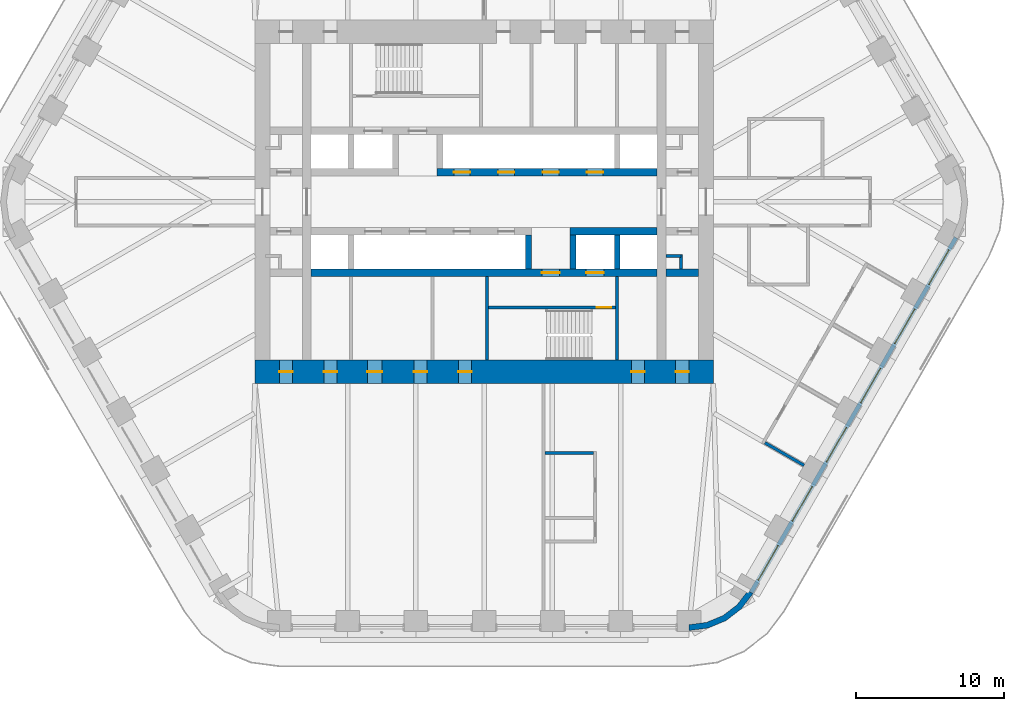
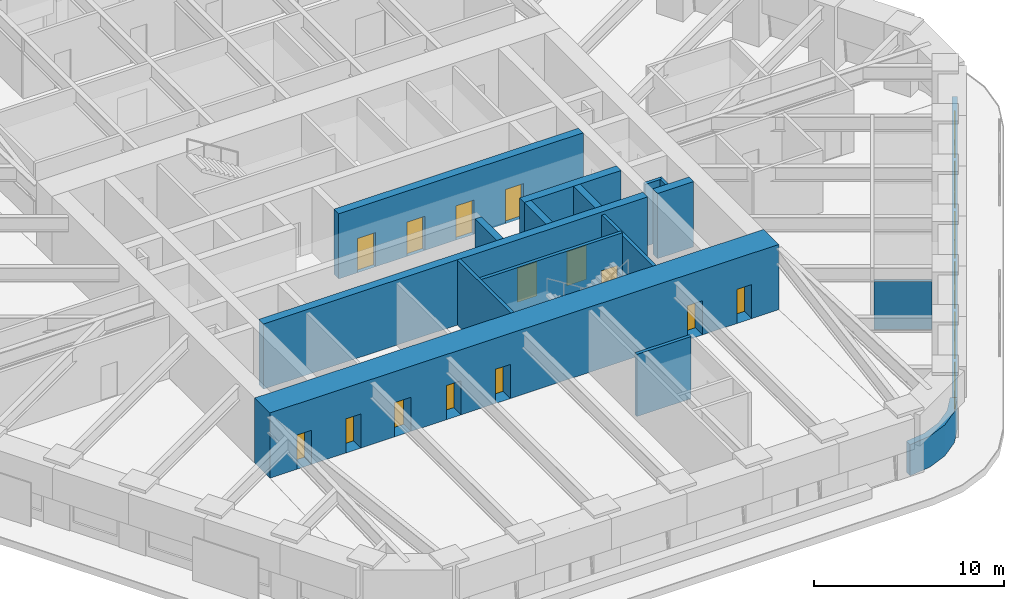
# One storey, part 15 of 20: 17 walls, 14 doors, 6 windows, 20 openings.
"""IFC4 building model written with IfcOpenShell, lengths in metres."""

from ifc_helpers import new_model, si_unit, direction, frame, frame_2d, origin, place, context, subcontext, project, spatial, polyline, rectangle, outline, extrude, material, layer, layer_set, type_object, element, fill, save


model = new_model("IFC4")

# Units and contexts
model_context = context("Model", 3, precision=1e-05, world=origin(), true_north=direction((0.0, 1.0)))
body_context = subcontext(model_context, "Body", "Model", "MODEL_VIEW")
ifc_project = project(units=[si_unit("LENGTHUNIT", "METRE"), si_unit("AREAUNIT", "SQUARE_METRE"), si_unit("VOLUMEUNIT", "CUBIC_METRE"), si_unit("PLANEANGLEUNIT", "RADIAN"), si_unit("MASSUNIT", "GRAM", prefix="KILO")], contexts=[model_context])

# Site, building, storey
site_placement = place(None, origin())
site = spatial("IfcSite", under=ifc_project, at=site_placement, CompositionType="ELEMENT")
building_placement = place(site_placement, origin())
building = spatial("IfcBuilding", under=site, at=building_placement, Name="Tarfa Lantern Tower", CompositionType="ELEMENT")
storey_placement = place(building_placement, frame((0.0, 0.0, 219.699951171875)))
storey = spatial("IfcBuildingStorey", under=building, at=storey_placement, Name="L49", CompositionType="ELEMENT", Elevation=219.699951171875)

# Wall, openings, windows
ifc_material_1 = material(Name="Limestone cladding on blockwork", Category="masonry")
ifc_layer_1 = layer(ifc_material_1, 0.300048828125)
ifc_layer_set_1 = layer_set([ifc_layer_1], Name="EW1 STONE-CLAD WALL 300")
wall_type_1 = type_object("IfcWallType", Name="EW1 STONE-CLAD WALL 300", PredefinedType="SOLIDWALL", material=ifc_layer_set_1)
wall_1_placement = place(storey_placement, frame((18.056640625, -26.425048828125, 0.0), z_axis=(0.0, 0.0, 1.0), x_axis=(0.500001051461, 0.866024796723, 0.0)))
wall_1 = element("IfcWall", 1, at=wall_1_placement, inside=storey, type_object=wall_type_1, Name="Stone wall SE", PredefinedType="SOLIDWALL", context=body_context, shape_type="SweptSolid", body=[
    extrude(rectangle(XDim=27.712890625, YDim=0.300048828125, at=frame_2d((13.8564453125, 0.0))), origin(), (0.0, 0.0, 1.0), 2.0),
])
opening_1_placement = place(wall_1_placement, frame((0.95947265625, 0.0, 0.60009765625)))
opening_1 = element("IfcOpeningElement", 2, at=opening_1_placement, cuts=wall_1, Name="Opening W13", PredefinedType="OPENING", context=body_context, shape_type="SweptSolid", body=[
    extrude(rectangle(XDim=2.699951171875, YDim=1.14990234375, at=frame_2d((1.35009765625, 0.574951171875))), frame((0.0, 0.159912109375, 0.0), z_axis=(0.0, -1.0, 0.0), x_axis=(1.0, 0.0, 0.0)), (0.0, 0.0, 1.0), 0.320068359375),
])
opening_2_placement = place(wall_1_placement, frame((5.578125, 0.0, 0.60009765625)))
opening_2 = element("IfcOpeningElement", 3, at=opening_2_placement, cuts=wall_1, Name="Opening W13", PredefinedType="OPENING", context=body_context, shape_type="SweptSolid", body=[
    extrude(rectangle(XDim=2.699951171875, YDim=1.14990234375, at=frame_2d((1.35009765625, 0.574951171875))), frame((0.0, 0.159912109375, 0.0), z_axis=(0.0, -1.0, 0.0), x_axis=(1.0, 0.0, 0.0)), (0.0, 0.0, 1.0), 0.320068359375),
])
opening_3_placement = place(wall_1_placement, frame((10.197021484375, 0.0, 0.60009765625)))
opening_3 = element("IfcOpeningElement", 4, at=opening_3_placement, cuts=wall_1, Name="Opening W13", PredefinedType="OPENING", context=body_context, shape_type="SweptSolid", body=[
    extrude(rectangle(XDim=2.699951171875, YDim=1.14990234375, at=frame_2d((1.35009765625, 0.574951171875))), frame((0.0, 0.159912109375, 0.0), z_axis=(0.0, -1.0, 0.0), x_axis=(1.0, 0.0, 0.0)), (0.0, 0.0, 1.0), 0.320068359375),
])
opening_4_placement = place(wall_1_placement, frame((14.81591796875, 0.0, 0.60009765625)))
opening_4 = element("IfcOpeningElement", 5, at=opening_4_placement, cuts=wall_1, Name="Opening W13", PredefinedType="OPENING", context=body_context, shape_type="SweptSolid", body=[
    extrude(rectangle(XDim=2.699951171875, YDim=1.14990234375, at=frame_2d((1.35009765625, 0.574951171875))), frame((0.0, 0.159912109375, 0.0), z_axis=(0.0, -1.0, 0.0), x_axis=(1.0, 0.0, 0.0)), (0.0, 0.0, 1.0), 0.320068359375),
])
opening_5_placement = place(wall_1_placement, frame((19.4345703125, 0.0, 0.60009765625)))
opening_5 = element("IfcOpeningElement", 6, at=opening_5_placement, cuts=wall_1, Name="Opening W13", PredefinedType="OPENING", context=body_context, shape_type="SweptSolid", body=[
    extrude(rectangle(XDim=2.699951171875, YDim=1.14990234375, at=frame_2d((1.35009765625, 0.574951171875))), frame((0.0, 0.159912109375, 0.0), z_axis=(0.0, -1.0, 0.0), x_axis=(1.0, 0.0, 0.0)), (0.0, 0.0, 1.0), 0.320068359375),
])
opening_6_placement = place(wall_1_placement, frame((24.053466796875, 0.0, 0.60009765625)))
opening_6 = element("IfcOpeningElement", 7, at=opening_6_placement, cuts=wall_1, Name="Opening W13", PredefinedType="OPENING", context=body_context, shape_type="SweptSolid", body=[
    extrude(rectangle(XDim=2.699951171875, YDim=1.14990234375, at=frame_2d((1.35009765625, 0.574951171875))), frame((0.0, 0.159912109375, 0.0), z_axis=(0.0, -1.0, 0.0), x_axis=(1.0, 0.0, 0.0)), (0.0, 0.0, 1.0), 0.320068359375),
])
ifc_material_2 = material(Name="Aluminium frame, double glazed", Category="aluminium")
window_type = type_object("IfcWindowType", Name="W13 FULL-HEIGHT GLAZING 2700x1150", PartitioningType="SINGLE_PANEL", PredefinedType="WINDOW", material=ifc_material_2)
window_1_placement = place(opening_1_placement, origin())
window_1 = element("IfcWindow", 8, at=window_1_placement, inside=storey, type_object=window_type, Name="Window SE 1", OverallHeight=1.14990234375, OverallWidth=2.699951171875, PartitioningType="SINGLE_PANEL", PredefinedType="WINDOW", context=body_context, shape_type="SweptSolid", body=[
    extrude(rectangle(XDim=2.699951171875, YDim=1.14990234375, at=frame_2d((1.35009765625, 0.574951171875))), frame((0.0, 0.030029296875, 0.0), z_axis=(0.0, -1.0, 0.0), x_axis=(1.0, 0.0, 0.0)), (0.0, 0.0, 1.0), 0.06005859375),
])
fill(opening_1, window_1)
window_2_placement = place(opening_2_placement, origin())
window_2 = element("IfcWindow", 9, at=window_2_placement, inside=storey, type_object=window_type, Name="Window SE 2", OverallHeight=1.14990234375, OverallWidth=2.699951171875, PartitioningType="SINGLE_PANEL", PredefinedType="WINDOW", context=body_context, shape_type="SweptSolid", body=[
    extrude(rectangle(XDim=2.699951171875, YDim=1.14990234375, at=frame_2d((1.35009765625, 0.574951171875))), frame((0.0, 0.030029296875, 0.0), z_axis=(0.0, -1.0, 0.0), x_axis=(1.0, 0.0, 0.0)), (0.0, 0.0, 1.0), 0.06005859375),
])
fill(opening_2, window_2)
window_3_placement = place(opening_3_placement, origin())
window_3 = element("IfcWindow", 10, at=window_3_placement, inside=storey, type_object=window_type, Name="Window SE 3", OverallHeight=1.14990234375, OverallWidth=2.699951171875, PartitioningType="SINGLE_PANEL", PredefinedType="WINDOW", context=body_context, shape_type="SweptSolid", body=[
    extrude(rectangle(XDim=2.699951171875, YDim=1.14990234375, at=frame_2d((1.35009765625, 0.574951171875))), frame((0.0, 0.030029296875, 0.0), z_axis=(0.0, -1.0, 0.0), x_axis=(1.0, 0.0, 0.0)), (0.0, 0.0, 1.0), 0.06005859375),
])
fill(opening_3, window_3)
window_4_placement = place(opening_4_placement, origin())
window_4 = element("IfcWindow", 11, at=window_4_placement, inside=storey, type_object=window_type, Name="Window SE 4", OverallHeight=1.14990234375, OverallWidth=2.699951171875, PartitioningType="SINGLE_PANEL", PredefinedType="WINDOW", context=body_context, shape_type="SweptSolid", body=[
    extrude(rectangle(XDim=2.699951171875, YDim=1.14990234375, at=frame_2d((1.35009765625, 0.574951171875))), frame((0.0, 0.030029296875, 0.0), z_axis=(0.0, -1.0, 0.0), x_axis=(1.0, 0.0, 0.0)), (0.0, 0.0, 1.0), 0.06005859375),
])
fill(opening_4, window_4)
window_5_placement = place(opening_5_placement, origin())
window_5 = element("IfcWindow", 12, at=window_5_placement, inside=storey, type_object=window_type, Name="Window SE 5", OverallHeight=1.14990234375, OverallWidth=2.699951171875, PartitioningType="SINGLE_PANEL", PredefinedType="WINDOW", context=body_context, shape_type="SweptSolid", body=[
    extrude(rectangle(XDim=2.699951171875, YDim=1.14990234375, at=frame_2d((1.35009765625, 0.574951171875))), frame((0.0, 0.030029296875, 0.0), z_axis=(0.0, -1.0, 0.0), x_axis=(1.0, 0.0, 0.0)), (0.0, 0.0, 1.0), 0.06005859375),
])
fill(opening_5, window_5)
window_6_placement = place(opening_6_placement, origin())
window_6 = element("IfcWindow", 13, at=window_6_placement, inside=storey, type_object=window_type, Name="Window SE 6", OverallHeight=1.14990234375, OverallWidth=2.699951171875, PartitioningType="SINGLE_PANEL", PredefinedType="WINDOW", context=body_context, shape_type="SweptSolid", body=[
    extrude(rectangle(XDim=2.699951171875, YDim=1.14990234375, at=frame_2d((1.35009765625, 0.574951171875))), frame((0.0, 0.030029296875, 0.0), z_axis=(0.0, -1.0, 0.0), x_axis=(1.0, 0.0, 0.0)), (0.0, 0.0, 1.0), 0.06005859375),
])
fill(opening_6, window_6)

# Walls
ifc_layer_2 = layer(ifc_material_1, 0.39990234375)
ifc_layer_set_2 = layer_set([ifc_layer_2], Name="EW2 CURVED STONE CORNER 400")
wall_type_2 = type_object("IfcWallType", Name="EW2 CURVED STONE CORNER 400", PredefinedType="SOLIDWALL", material=ifc_layer_set_2)
wall_2_placement = place(storey_placement, origin())
element("IfcWall", 14, at=wall_2_placement, inside=storey, type_object=wall_type_2, Name="Stone corner S-SE", PredefinedType="SOLIDWALL", context=body_context, shape_type="SweptSolid", body=[
    extrude(outline(polyline([(13.8564453125, -29.0), (15.150390625, -28.82958984375), (16.3564453125, -28.330078125), (17.391845703125, -27.53564453125), (18.1865234375, -26.5), (17.840087890625, -26.300048828125), (17.109130859375, -27.252685546875), (16.156494140625, -27.983642578125), (15.046875, -28.443359375), (13.8564453125, -28.60009765625), (13.8564453125, -29.0)])), origin(), (0.0, 0.0, 1.0), 2.0),
])
ifc_material_3 = material(Name="Concrete blockwork", Category="masonry")
ifc_layer_3 = layer(ifc_material_3, 0.199951171875)
ifc_layer_set_3 = layer_set([ifc_layer_3], Name="IW1 BLOCKWORK PARTITION 200 EI 120")
wall_type_3 = type_object("IfcWallType", Name="IW1 BLOCKWORK PARTITION 200 EI 120", PredefinedType="PARTITIONING", material=ifc_layer_set_3)
wall_3_placement = place(storey_placement, frame((9.0, -5.050048828125, 0.0), z_axis=(0.0, 0.0, 1.0), x_axis=(0.0, -1.0, 0.0)))
element("IfcWall", 15, at=wall_3_placement, inside=storey, type_object=wall_type_3, Name="Core partition", PredefinedType="PARTITIONING", context=body_context, shape_type="SweptSolid", body=[
    extrude(rectangle(XDim=5.64990234375, YDim=0.199951171875, at=frame_2d((2.824951171875, 0.0))), origin(), (0.0, 0.0, 1.0), 4.0),
])
for number, where, z_axis, x_axis, name in (
    (16, (13.300048828125, -3.64990234375, 0.0), (0.0, 0.0, 1.0), (-1.0, 0.0, 0.0), "Core partition"),
    (17, (13.300048828125, -3.550048828125, 0.0), (0.0, 0.0, 1.0), (0.0, -1.0, 0.0), "Core partition"),
):
    element("IfcWall", number, at=place(storey_placement, frame(where, z_axis=z_axis, x_axis=x_axis)), inside=storey, type_object=wall_type_3, Name=name, PredefinedType="PARTITIONING", context=body_context, shape_type="SweptSolid", body=[
        extrude(rectangle(XDim=1.0, YDim=0.199951171875, at=frame_2d((0.5, 0.0))), origin(), (0.0, 0.0, 1.0), 4.0),
    ])
ifc_material_4 = material(Name="Gypsum board on steel studs", Category="steel")
ifc_layer_4 = layer(ifc_material_4, 0.2099609375)
ifc_layer_set_4 = layer_set([ifc_layer_4], Name="IW2 ACOUSTIC PARTITION 200")
wall_type_4 = type_object("IfcWallType", Name="IW2 ACOUSTIC PARTITION 200", PredefinedType="PARTITIONING", material=ifc_layer_set_4)
wall_4_placement = place(storey_placement, frame((18.994873046875, -16.300048828125, 0.0), z_axis=(0.0, 0.0, 1.0), x_axis=(0.866037623948, -0.499978833458, 0.0)))
element("IfcWall", 18, at=wall_4_placement, inside=storey, type_object=wall_type_4, Name="Partition", PredefinedType="PARTITIONING", context=body_context, shape_type="SweptSolid", body=[
    extrude(rectangle(XDim=3.050048828125, YDim=0.199951171875, at=frame_2d((1.52490234375, 0.0))), origin(), (0.0, 0.0, 1.0), 3.08154296875),
])
wall_5_placement = place(storey_placement, frame((4.10009765625, -16.97509765625, 0.0), z_axis=(0.0, 0.0, 1.0), x_axis=(1.0, 0.0, 0.0)))
element("IfcWall", 19, at=wall_5_placement, inside=storey, type_object=wall_type_4, Name="Partition", PredefinedType="PARTITIONING", context=body_context, shape_type="SweptSolid", body=[
    extrude(rectangle(XDim=3.2998046875, YDim=0.199951171875, at=frame_2d((1.64990234375, 0.0))), origin(), (0.0, 0.0, 1.0), 4.0),
])
ifc_material_5 = material(Name="Concrete C80/95", Category="concrete")
ifc_layer_5 = layer(ifc_material_5, 0.199951171875)
ifc_layer_set_5 = layer_set([ifc_layer_5], Name="SW12 CORE WALL 200")
wall_type_5 = type_object("IfcWallType", Name="SW12 CORE WALL 200", PredefinedType="SHEAR", material=ifc_layer_set_5)
wall_6_placement = place(storey_placement, frame((0.199951171875, -5.050048828125, 0.0), z_axis=(0.0, 0.0, 1.0), x_axis=(0.0, -1.0, 0.0)))
element("IfcWall", 20, at=wall_6_placement, inside=storey, type_object=wall_type_5, Name="Core wall stair shaft S", PredefinedType="SHEAR", context=body_context, shape_type="SweptSolid", body=[
    extrude(rectangle(XDim=5.64990234375, YDim=0.199951171875, at=frame_2d((2.824951171875, 0.0))), origin(), (0.0, 0.0, 1.0), 4.199951171875),
])

# Wall, opening, door
wall_7_placement = place(storey_placement, frame((8.89990234375, -7.14990234375, 0.0), z_axis=(0.0, 0.0, 1.0), x_axis=(-1.0, 0.0, 0.0)))
wall_7 = element("IfcWall", 21, at=wall_7_placement, inside=storey, type_object=wall_type_5, Name="Core wall stair partition S", PredefinedType="SHEAR", context=body_context, shape_type="SweptSolid", body=[
    extrude(rectangle(XDim=8.599853515625, YDim=0.199951171875, at=frame_2d((4.2998046875, 0.0))), origin(), (0.0, 0.0, 1.0), 4.199951171875),
])
opening_7_placement = place(wall_7_placement, frame((0.300048828125, 0.0, 0.0)))
opening_7 = element("IfcOpeningElement", 22, at=opening_7_placement, cuts=wall_7, Name="Opening D24", PredefinedType="OPENING", context=body_context, shape_type="SweptSolid", body=[
    extrude(rectangle(XDim=1.0, YDim=2.199951171875, at=frame_2d((0.5, 1.10009765625))), frame((0.0, 0.10986328125, 0.0), z_axis=(0.0, -1.0, 0.0), x_axis=(1.0, 0.0, 0.0)), (0.0, 0.0, 1.0), 0.219970703125),
])
ifc_material_6 = material(Name="Steel fire door", Category="steel")
door_type_1 = type_object("IfcDoorType", Name="DF2 STAIR DOOR 1000x2200", OperationType="SINGLE_SWING_LEFT", PredefinedType="DOOR", material=ifc_material_6)
door_1_placement = place(opening_7_placement, origin())
door_1 = element("IfcDoor", 23, at=door_1_placement, inside=storey, type_object=door_type_1, Name="Stair door", OperationType="SINGLE_SWING_RIGHT", OverallHeight=2.199951171875, OverallWidth=1.0, PredefinedType="DOOR", context=body_context, shape_type="SweptSolid", body=[
    extrude(rectangle(XDim=1.0, YDim=2.199951171875, at=frame_2d((0.5, 1.10009765625))), frame((0.0, 0.02490234375, 0.0), z_axis=(0.0, -1.0, 0.0), x_axis=(1.0, 0.0, 0.0)), (0.0, 0.0, 1.0), 0.050048828125),
])
fill(opening_7, door_1)

# Wall, openings, doors
ifc_layer_6 = layer(ifc_material_5, 0.5)
ifc_layer_set_6 = layer_set([ifc_layer_6], Name="SW5 CORE WALL 500")
wall_type_6 = type_object("IfcWallType", Name="SW5 CORE WALL 500", PredefinedType="SHEAR", material=ifc_layer_set_6)
wall_8_placement = place(storey_placement, frame((-3.199951171875, 2.0, 0.0), z_axis=(0.0, 0.0, 1.0), x_axis=(1.0, 0.0, 0.0)))
wall_8 = element("IfcWall", 24, at=wall_8_placement, inside=storey, type_object=wall_type_6, Name="Core wall lobby east N", PredefinedType="SHEAR", context=body_context, shape_type="SweptSolid", body=[
    extrude(rectangle(XDim=14.89990234375, YDim=0.5, at=frame_2d((7.449951171875, 0.0))), origin(), (0.0, 0.0, 1.0), 4.199951171875),
])
opening_8_placement = place(wall_8_placement, frame((1.14990234375, 0.0, 0.0)))
opening_8 = element("IfcOpeningElement", 25, at=opening_8_placement, cuts=wall_8, Name="Opening LD03", PredefinedType="OPENING", context=body_context, shape_type="SweptSolid", body=[
    extrude(rectangle(XDim=1.10009765625, YDim=2.199951171875, at=frame_2d((0.550048828125, 1.10009765625))), frame((0.0, 0.260009765625, 0.0), z_axis=(0.0, -1.0, 0.0), x_axis=(1.0, 0.0, 0.0)), (0.0, 0.0, 1.0), 0.52001953125),
])
opening_9_placement = place(wall_8_placement, frame((4.14990234375, 0.0, 0.0)))
opening_9 = element("IfcOpeningElement", 26, at=opening_9_placement, cuts=wall_8, Name="Opening LD04", PredefinedType="OPENING", context=body_context, shape_type="SweptSolid", body=[
    extrude(rectangle(XDim=1.10009765625, YDim=2.199951171875, at=frame_2d((0.550048828125, 1.10009765625))), frame((0.0, 0.260009765625, 0.0), z_axis=(0.0, -1.0, 0.0), x_axis=(1.0, 0.0, 0.0)), (0.0, 0.0, 1.0), 0.52001953125),
])
opening_10_placement = place(wall_8_placement, frame((7.14990234375, 0.0, 0.0)))
opening_10 = element("IfcOpeningElement", 27, at=opening_10_placement, cuts=wall_8, Name="Opening LD05", PredefinedType="OPENING", context=body_context, shape_type="SweptSolid", body=[
    extrude(rectangle(XDim=1.10009765625, YDim=2.199951171875, at=frame_2d((0.550048828125, 1.10009765625))), frame((0.0, 0.260009765625, 0.0), z_axis=(0.0, -1.0, 0.0), x_axis=(1.0, 0.0, 0.0)), (0.0, 0.0, 1.0), 0.52001953125),
])
opening_11_placement = place(wall_8_placement, frame((10.14990234375, 0.0, 0.0)))
opening_11 = element("IfcOpeningElement", 28, at=opening_11_placement, cuts=wall_8, Name="Opening LD06", PredefinedType="OPENING", context=body_context, shape_type="SweptSolid", body=[
    extrude(rectangle(XDim=1.10009765625, YDim=2.199951171875, at=frame_2d((0.550048828125, 1.10009765625))), frame((0.0, 0.260009765625, 0.0), z_axis=(0.0, -1.0, 0.0), x_axis=(1.0, 0.0, 0.0)), (0.0, 0.0, 1.0), 0.52001953125),
])
ifc_material_7 = material(Name="Stainless steel lift door", Category="steel")
door_type_2 = type_object("IfcDoorType", Name="LD2 LIFT LANDING DOOR 1100x2200", OperationType="SLIDING_TO_LEFT", PredefinedType="DOOR", material=ifc_material_7)
door_2_placement = place(opening_8_placement, frame((1.10009765625, 0.0, 0.0), z_axis=(0.0, 0.0, 1.0), x_axis=(-1.0, 0.0, 0.0)))
door_2 = element("IfcDoor", 29, at=door_2_placement, inside=storey, type_object=door_type_2, Name="Landing door PC1", OperationType="SLIDING_TO_LEFT", OverallHeight=2.199951171875, OverallWidth=1.10009765625, PredefinedType="DOOR", context=body_context, shape_type="SweptSolid", body=[
    extrude(rectangle(XDim=1.10009765625, YDim=2.199951171875, at=frame_2d((0.550048828125, 1.10009765625))), frame((0.0, 0.02490234375, 0.0), z_axis=(0.0, -1.0, 0.0), x_axis=(1.0, 0.0, 0.0)), (0.0, 0.0, 1.0), 0.050048828125),
])
fill(opening_8, door_2)
door_3_placement = place(opening_9_placement, frame((1.10009765625, 0.0, 0.0), z_axis=(0.0, 0.0, 1.0), x_axis=(-1.0, 0.0, 0.0)))
door_3 = element("IfcDoor", 30, at=door_3_placement, inside=storey, type_object=door_type_2, Name="Landing door PC2", OperationType="SLIDING_TO_LEFT", OverallHeight=2.199951171875, OverallWidth=1.10009765625, PredefinedType="DOOR", context=body_context, shape_type="SweptSolid", body=[
    extrude(rectangle(XDim=1.10009765625, YDim=2.199951171875, at=frame_2d((0.550048828125, 1.10009765625))), frame((0.0, 0.02490234375, 0.0), z_axis=(0.0, -1.0, 0.0), x_axis=(1.0, 0.0, 0.0)), (0.0, 0.0, 1.0), 0.050048828125),
])
fill(opening_9, door_3)
door_4_placement = place(opening_10_placement, frame((1.10009765625, 0.0, 0.0), z_axis=(0.0, 0.0, 1.0), x_axis=(-1.0, 0.0, 0.0)))
door_4 = element("IfcDoor", 31, at=door_4_placement, inside=storey, type_object=door_type_2, Name="Landing door PC3", OperationType="SLIDING_TO_LEFT", OverallHeight=2.199951171875, OverallWidth=1.10009765625, PredefinedType="DOOR", context=body_context, shape_type="SweptSolid", body=[
    extrude(rectangle(XDim=1.10009765625, YDim=2.199951171875, at=frame_2d((0.550048828125, 1.10009765625))), frame((0.0, 0.02490234375, 0.0), z_axis=(0.0, -1.0, 0.0), x_axis=(1.0, 0.0, 0.0)), (0.0, 0.0, 1.0), 0.050048828125),
])
fill(opening_10, door_4)
door_5_placement = place(opening_11_placement, frame((1.10009765625, 0.0, 0.0), z_axis=(0.0, 0.0, 1.0), x_axis=(-1.0, 0.0, 0.0)))
door_5 = element("IfcDoor", 32, at=door_5_placement, inside=storey, type_object=door_type_2, Name="Landing door PC4", OperationType="SLIDING_TO_LEFT", OverallHeight=2.199951171875, OverallWidth=1.10009765625, PredefinedType="DOOR", context=body_context, shape_type="SweptSolid", body=[
    extrude(rectangle(XDim=1.10009765625, YDim=2.199951171875, at=frame_2d((0.550048828125, 1.10009765625))), frame((0.0, 0.02490234375, 0.0), z_axis=(0.0, -1.0, 0.0), x_axis=(1.0, 0.0, 0.0)), (0.0, 0.0, 1.0), 0.050048828125),
])
fill(opening_11, door_5)

# Walls
wall_9_placement = place(storey_placement, frame((11.699951171875, -2.0, 0.0), z_axis=(0.0, 0.0, 1.0), x_axis=(-1.0, 0.0, 0.0)))
element("IfcWall", 33, at=wall_9_placement, inside=storey, type_object=wall_type_6, Name="Core wall lobby west S", PredefinedType="SHEAR", context=body_context, shape_type="SweptSolid", body=[
    extrude(rectangle(XDim=5.89990234375, YDim=0.5, at=frame_2d((2.949951171875, 0.0))), origin(), (0.0, 0.0, 1.0), 4.199951171875),
])
wall_10_placement = place(storey_placement, frame((14.5, -4.800048828125, 0.0), z_axis=(0.0, 0.0, 1.0), x_axis=(-1.0, 0.0, 0.0)))
element("IfcWall", 34, at=wall_10_placement, inside=storey, type_object=wall_type_6, Name="Core wall rear S", PredefinedType="SHEAR", context=body_context, shape_type="SweptSolid", body=[
    extrude(rectangle(XDim=2.199951171875, YDim=0.5, at=frame_2d((1.10009765625, 0.0))), origin(), (0.0, 0.0, 1.0), 4.199951171875),
])

# Wall, openings, doors
wall_11_placement = place(storey_placement, frame((11.699951171875, -4.800048828125, 0.0), z_axis=(0.0, 0.0, 1.0), x_axis=(-1.0, 0.0, 0.0)))
wall_11 = element("IfcWall", 35, at=wall_11_placement, inside=storey, type_object=wall_type_6, Name="Core wall rear S", PredefinedType="SHEAR", context=body_context, shape_type="SweptSolid", body=[
    extrude(rectangle(XDim=23.39990234375, YDim=0.5, at=frame_2d((11.699951171875, 0.0))), origin(), (0.0, 0.0, 1.0), 4.199951171875),
])
opening_12_placement = place(wall_11_placement, frame((6.60009765625, 0.0, 0.0)))
opening_12 = element("IfcOpeningElement", 36, at=opening_12_placement, cuts=wall_11, Name="Opening D10", PredefinedType="OPENING", context=body_context, shape_type="SweptSolid", body=[
    extrude(rectangle(XDim=1.199951171875, YDim=2.199951171875, at=frame_2d((0.60009765625, 1.10009765625))), frame((0.0, 0.260009765625, 0.0), z_axis=(0.0, -1.0, 0.0), x_axis=(1.0, 0.0, 0.0)), (0.0, 0.0, 1.0), 0.52001953125),
])
opening_13_placement = place(wall_11_placement, frame((3.60009765625, 0.0, 0.0)))
opening_13 = element("IfcOpeningElement", 37, at=opening_13_placement, cuts=wall_11, Name="Opening LD02", PredefinedType="OPENING", context=body_context, shape_type="SweptSolid", body=[
    extrude(rectangle(XDim=1.199951171875, YDim=2.199951171875, at=frame_2d((0.60009765625, 1.10009765625))), frame((0.0, 0.260009765625, 0.0), z_axis=(0.0, -1.0, 0.0), x_axis=(1.0, 0.0, 0.0)), (0.0, 0.0, 1.0), 0.52001953125),
])
door_type_3 = type_object("IfcDoorType", Name="DF1 FIREFIGHTING LOBBY DOOR 1200x2200", OperationType="SINGLE_SWING_LEFT", PredefinedType="DOOR", material=ifc_material_6)
door_6_placement = place(opening_12_placement, origin())
door_6 = element("IfcDoor", 38, at=door_6_placement, inside=storey, type_object=door_type_3, Name="Firefighting lobby door", OperationType="SINGLE_SWING_LEFT", OverallHeight=2.199951171875, OverallWidth=1.199951171875, PredefinedType="DOOR", context=body_context, shape_type="SweptSolid", body=[
    extrude(rectangle(XDim=1.199951171875, YDim=2.199951171875, at=frame_2d((0.60009765625, 1.10009765625))), frame((0.0, 0.02490234375, 0.0), z_axis=(0.0, -1.0, 0.0), x_axis=(1.0, 0.0, 0.0)), (0.0, 0.0, 1.0), 0.050048828125),
])
fill(opening_12, door_6)
door_type_4 = type_object("IfcDoorType", Name="LD1 LIFT LANDING DOOR 1200x2200", OperationType="SLIDING_TO_LEFT", PredefinedType="DOOR", material=ifc_material_7)
door_7_placement = place(opening_13_placement, origin())
door_7 = element("IfcDoor", 39, at=door_7_placement, inside=storey, type_object=door_type_4, Name="Landing door FL2", OperationType="SLIDING_TO_LEFT", OverallHeight=2.199951171875, OverallWidth=1.199951171875, PredefinedType="DOOR", context=body_context, shape_type="SweptSolid", body=[
    extrude(rectangle(XDim=1.199951171875, YDim=2.199951171875, at=frame_2d((0.60009765625, 1.10009765625))), frame((0.0, 0.02490234375, 0.0), z_axis=(0.0, -1.0, 0.0), x_axis=(1.0, 0.0, 0.0)), (0.0, 0.0, 1.0), 0.050048828125),
])
fill(opening_13, door_7)

# Walls
ifc_layer_7 = layer(ifc_material_5, 0.39990234375)
ifc_layer_set_7 = layer_set([ifc_layer_7], Name="SW6 CORE WALL 400")
wall_type_7 = type_object("IfcWallType", Name="SW6 CORE WALL 400", PredefinedType="SHEAR", material=ifc_layer_set_7)
for number, where, z_axis, x_axis, name in (
    (40, (9.0, -2.25, 0.0), (0.0, 0.0, 1.0), (0.0, -1.0, 0.0), "Core wall divider S"),
    (41, (6.0, -2.25, 0.0), (0.0, 0.0, 1.0), (0.0, -1.0, 0.0), "Core wall divider S"),
    (42, (3.0, -2.25, 0.0), (0.0, 0.0, 1.0), (0.0, -1.0, 0.0), "Core wall divider S"),
):
    element("IfcWall", number, at=place(storey_placement, frame(where, z_axis=z_axis, x_axis=x_axis)), inside=storey, type_object=wall_type_7, Name=name, PredefinedType="SHEAR", context=body_context, shape_type="SweptSolid", body=[
        extrude(rectangle(XDim=2.300048828125, YDim=0.39990234375, at=frame_2d((1.14990234375, 0.0))), origin(), (0.0, 0.0, 1.0), 4.199951171875),
    ])

# Wall, openings, doors
ifc_layer_8 = layer(ifc_material_5, 1.60009765625)
ifc_layer_set_8 = layer_set([ifc_layer_8], Name="SW7 CORE WALL 1600")
wall_type_8 = type_object("IfcWallType", Name="SW7 CORE WALL 1600", PredefinedType="SHEAR", material=ifc_layer_set_8)
wall_12_placement = place(storey_placement, frame((15.5, -11.5, 0.0), z_axis=(0.0, 0.0, 1.0), x_axis=(-1.0, 0.0, 0.0)))
wall_12 = element("IfcWall", 43, at=wall_12_placement, inside=storey, type_object=wall_type_8, Name="Core wall S", PredefinedType="SHEAR", context=body_context, shape_type="SweptSolid", body=[
    extrude(rectangle(XDim=31.0, YDim=1.60009765625, at=frame_2d((15.5, 0.0))), origin(), (0.0, 0.0, 1.0), 4.199951171875),
])
opening_14_placement = place(wall_12_placement, frame((16.35009765625, 0.0, 0.0)))
opening_14 = element("IfcOpeningElement", 44, at=opening_14_placement, cuts=wall_12, Name="Opening D18", PredefinedType="OPENING", context=body_context, shape_type="SweptSolid", body=[
    extrude(rectangle(XDim=0.89990234375, YDim=2.199951171875, at=frame_2d((0.449951171875, 1.10009765625))), frame((0.0, 0.81005859375, 0.0), z_axis=(0.0, -1.0, 0.0), x_axis=(1.0, 0.0, 0.0)), (0.0, 0.0, 1.0), 1.6201171875),
])
opening_15_placement = place(wall_12_placement, frame((19.35009765625, 0.0, 0.0)))
opening_15 = element("IfcOpeningElement", 45, at=opening_15_placement, cuts=wall_12, Name="Opening D20", PredefinedType="OPENING", context=body_context, shape_type="SweptSolid", body=[
    extrude(rectangle(XDim=0.89990234375, YDim=2.199951171875, at=frame_2d((0.449951171875, 1.10009765625))), frame((0.0, 0.81005859375, 0.0), z_axis=(0.0, -1.0, 0.0), x_axis=(1.0, 0.0, 0.0)), (0.0, 0.0, 1.0), 1.6201171875),
])
opening_16_placement = place(wall_12_placement, frame((22.39990234375, 0.0, 0.0)))
opening_16 = element("IfcOpeningElement", 46, at=opening_16_placement, cuts=wall_12, Name="Opening D22", PredefinedType="OPENING", context=body_context, shape_type="SweptSolid", body=[
    extrude(rectangle(XDim=1.0, YDim=2.199951171875, at=frame_2d((0.5, 1.10009765625))), frame((0.0, 0.81005859375, 0.0), z_axis=(0.0, -1.0, 0.0), x_axis=(1.0, 0.0, 0.0)), (0.0, 0.0, 1.0), 1.6201171875),
])
opening_17_placement = place(wall_12_placement, frame((1.64990234375, 0.0, 0.0)))
opening_17 = element("IfcOpeningElement", 47, at=opening_17_placement, cuts=wall_12, Name="Opening D08", PredefinedType="OPENING", context=body_context, shape_type="SweptSolid", body=[
    extrude(rectangle(XDim=0.89990234375, YDim=2.199951171875, at=frame_2d((0.449951171875, 1.10009765625))), frame((0.0, 0.81005859375, 0.0), z_axis=(0.0, -1.0, 0.0), x_axis=(1.0, 0.0, 0.0)), (0.0, 0.0, 1.0), 1.6201171875),
])
opening_18_placement = place(wall_12_placement, frame((4.64990234375, 0.0, 0.0)))
opening_18 = element("IfcOpeningElement", 48, at=opening_18_placement, cuts=wall_12, Name="Opening D06", PredefinedType="OPENING", context=body_context, shape_type="SweptSolid", body=[
    extrude(rectangle(XDim=0.89990234375, YDim=2.199951171875, at=frame_2d((0.449951171875, 1.10009765625))), frame((0.0, 0.81005859375, 0.0), z_axis=(0.0, -1.0, 0.0), x_axis=(1.0, 0.0, 0.0)), (0.0, 0.0, 1.0), 1.6201171875),
])
opening_19_placement = place(wall_12_placement, frame((25.449951171875, 0.0, 0.0)))
opening_19 = element("IfcOpeningElement", 49, at=opening_19_placement, cuts=wall_12, Name="Opening D04", PredefinedType="OPENING", context=body_context, shape_type="SweptSolid", body=[
    extrude(rectangle(XDim=0.89990234375, YDim=2.199951171875, at=frame_2d((0.449951171875, 1.10009765625))), frame((0.0, 0.81005859375, 0.0), z_axis=(0.0, -1.0, 0.0), x_axis=(1.0, 0.0, 0.0)), (0.0, 0.0, 1.0), 1.6201171875),
])
opening_20_placement = place(wall_12_placement, frame((28.449951171875, 0.0, 0.0)))
opening_20 = element("IfcOpeningElement", 50, at=opening_20_placement, cuts=wall_12, Name="Opening D02", PredefinedType="OPENING", context=body_context, shape_type="SweptSolid", body=[
    extrude(rectangle(XDim=0.89990234375, YDim=2.199951171875, at=frame_2d((0.449951171875, 1.10009765625))), frame((0.0, 0.81005859375, 0.0), z_axis=(0.0, -1.0, 0.0), x_axis=(1.0, 0.0, 0.0)), (0.0, 0.0, 1.0), 1.6201171875),
])
door_type_5 = type_object("IfcDoorType", Name="DF3 CORE ROOM DOOR 900x2200", OperationType="SINGLE_SWING_LEFT", PredefinedType="DOOR", material=ifc_material_6)
door_8_placement = place(opening_14_placement, frame((0.89990234375, 0.0, 0.0), z_axis=(0.0, 0.0, 1.0), x_axis=(-1.0, 0.0, 0.0)))
door_8 = element("IfcDoor", 51, at=door_8_placement, inside=storey, type_object=door_type_5, Name="Core door", OperationType="SINGLE_SWING_LEFT", OverallHeight=2.199951171875, OverallWidth=0.89990234375, PredefinedType="DOOR", context=body_context, shape_type="SweptSolid", body=[
    extrude(rectangle(XDim=0.89990234375, YDim=2.199951171875, at=frame_2d((0.449951171875, 1.10009765625))), frame((0.0, 0.02490234375, 0.0), z_axis=(0.0, -1.0, 0.0), x_axis=(1.0, 0.0, 0.0)), (0.0, 0.0, 1.0), 0.050048828125),
])
fill(opening_14, door_8)
door_9_placement = place(opening_15_placement, frame((0.89990234375, 0.0, 0.0), z_axis=(0.0, 0.0, 1.0), x_axis=(-1.0, 0.0, 0.0)))
door_9 = element("IfcDoor", 52, at=door_9_placement, inside=storey, type_object=door_type_5, Name="Core door", OperationType="SINGLE_SWING_LEFT", OverallHeight=2.199951171875, OverallWidth=0.89990234375, PredefinedType="DOOR", context=body_context, shape_type="SweptSolid", body=[
    extrude(rectangle(XDim=0.89990234375, YDim=2.199951171875, at=frame_2d((0.449951171875, 1.10009765625))), frame((0.0, 0.02490234375, 0.0), z_axis=(0.0, -1.0, 0.0), x_axis=(1.0, 0.0, 0.0)), (0.0, 0.0, 1.0), 0.050048828125),
])
fill(opening_15, door_9)
door_type_6 = type_object("IfcDoorType", Name="DF4 CORE ROOM DOOR 1000x2200", OperationType="SINGLE_SWING_LEFT", PredefinedType="DOOR", material=ifc_material_6)
door_10_placement = place(opening_16_placement, frame((1.0, 0.0, 0.0), z_axis=(0.0, 0.0, 1.0), x_axis=(-1.0, 0.0, 0.0)))
door_10 = element("IfcDoor", 53, at=door_10_placement, inside=storey, type_object=door_type_6, Name="Core door", OperationType="SINGLE_SWING_RIGHT", OverallHeight=2.199951171875, OverallWidth=1.0, PredefinedType="DOOR", context=body_context, shape_type="SweptSolid", body=[
    extrude(rectangle(XDim=1.0, YDim=2.199951171875, at=frame_2d((0.5, 1.10009765625))), frame((0.0, 0.02490234375, 0.0), z_axis=(0.0, -1.0, 0.0), x_axis=(1.0, 0.0, 0.0)), (0.0, 0.0, 1.0), 0.050048828125),
])
fill(opening_16, door_10)
door_type_7 = type_object("IfcDoorType", Name="DF5 RISER DOOR 900x2200", OperationType="SINGLE_SWING_LEFT", PredefinedType="DOOR", material=ifc_material_6)
door_11_placement = place(opening_17_placement, frame((0.89990234375, 0.0, 0.0), z_axis=(0.0, 0.0, 1.0), x_axis=(-1.0, 0.0, 0.0)))
door_11 = element("IfcDoor", 54, at=door_11_placement, inside=storey, type_object=door_type_7, Name="Riser door", OperationType="SINGLE_SWING_LEFT", OverallHeight=2.199951171875, OverallWidth=0.89990234375, PredefinedType="DOOR", context=body_context, shape_type="SweptSolid", body=[
    extrude(rectangle(XDim=0.89990234375, YDim=2.199951171875, at=frame_2d((0.449951171875, 1.10009765625))), frame((0.0, 0.02490234375, 0.0), z_axis=(0.0, -1.0, 0.0), x_axis=(1.0, 0.0, 0.0)), (0.0, 0.0, 1.0), 0.050048828125),
])
fill(opening_17, door_11)
door_12_placement = place(opening_18_placement, frame((0.89990234375, 0.0, 0.0), z_axis=(0.0, 0.0, 1.0), x_axis=(-1.0, 0.0, 0.0)))
door_12 = element("IfcDoor", 55, at=door_12_placement, inside=storey, type_object=door_type_7, Name="Riser door", OperationType="SINGLE_SWING_LEFT", OverallHeight=2.199951171875, OverallWidth=0.89990234375, PredefinedType="DOOR", context=body_context, shape_type="SweptSolid", body=[
    extrude(rectangle(XDim=0.89990234375, YDim=2.199951171875, at=frame_2d((0.449951171875, 1.10009765625))), frame((0.0, 0.02490234375, 0.0), z_axis=(0.0, -1.0, 0.0), x_axis=(1.0, 0.0, 0.0)), (0.0, 0.0, 1.0), 0.050048828125),
])
fill(opening_18, door_12)
door_13_placement = place(opening_19_placement, frame((0.89990234375, 0.0, 0.0), z_axis=(0.0, 0.0, 1.0), x_axis=(-1.0, 0.0, 0.0)))
door_13 = element("IfcDoor", 56, at=door_13_placement, inside=storey, type_object=door_type_7, Name="Riser door", OperationType="SINGLE_SWING_RIGHT", OverallHeight=2.199951171875, OverallWidth=0.89990234375, PredefinedType="DOOR", context=body_context, shape_type="SweptSolid", body=[
    extrude(rectangle(XDim=0.89990234375, YDim=2.199951171875, at=frame_2d((0.449951171875, 1.10009765625))), frame((0.0, 0.02490234375, 0.0), z_axis=(0.0, -1.0, 0.0), x_axis=(1.0, 0.0, 0.0)), (0.0, 0.0, 1.0), 0.050048828125),
])
fill(opening_19, door_13)
door_14_placement = place(opening_20_placement, frame((0.89990234375, 0.0, 0.0), z_axis=(0.0, 0.0, 1.0), x_axis=(-1.0, 0.0, 0.0)))
door_14 = element("IfcDoor", 57, at=door_14_placement, inside=storey, type_object=door_type_7, Name="Riser door", OperationType="SINGLE_SWING_RIGHT", OverallHeight=2.199951171875, OverallWidth=0.89990234375, PredefinedType="DOOR", context=body_context, shape_type="SweptSolid", body=[
    extrude(rectangle(XDim=0.89990234375, YDim=2.199951171875, at=frame_2d((0.449951171875, 1.10009765625))), frame((0.0, 0.02490234375, 0.0), z_axis=(0.0, -1.0, 0.0), x_axis=(1.0, 0.0, 0.0)), (0.0, 0.0, 1.0), 0.050048828125),
])
fill(opening_20, door_14)

save(model, "model.ifc")
